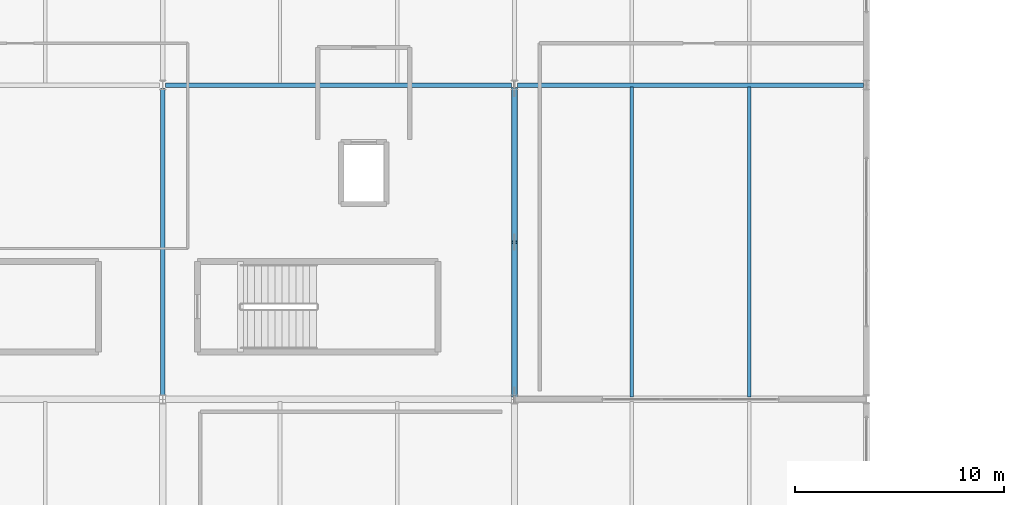
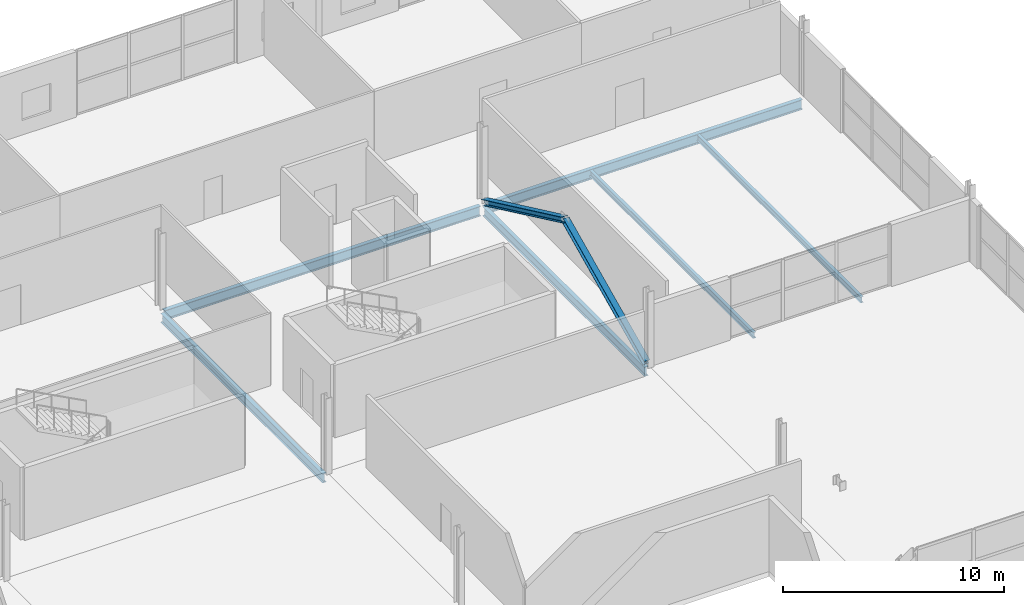
# One storey, part 20 of 39: 6 beams, 2 members.
"""IFC4 building model written with IfcOpenShell, lengths in metres."""

from ifc_helpers import new_model, si_unit, direction, frame, origin, origin_2d, place, context, subcontext, project, spatial, i_section, extrude, material, material_profile, profile_set, type_object, element, save


model = new_model("IFC4")

# Units and contexts
model_context = context("Model", 3, precision=1e-05, world=origin(), true_north=direction((0.0, 1.0)))
body_context = subcontext(model_context, "Body", "Model", "MODEL_VIEW")
ifc_project = project(units=[si_unit("LENGTHUNIT", "METRE"), si_unit("AREAUNIT", "SQUARE_METRE"), si_unit("VOLUMEUNIT", "CUBIC_METRE"), si_unit("PLANEANGLEUNIT", "RADIAN"), si_unit("MASSUNIT", "GRAM", prefix="KILO")], contexts=[model_context])

# Site, building, storey
site_placement = place(None, origin())
site = spatial("IfcSite", under=ifc_project, at=site_placement, CompositionType="ELEMENT")
building_placement = place(site_placement, origin())
building = spatial("IfcBuilding", under=site, at=building_placement, Name="Kimbaza Rail Terminus", CompositionType="ELEMENT")
storey_placement = place(building_placement, frame((0.0, 0.0, 16.800048828125)))
storey = spatial("IfcBuildingStorey", under=building, at=storey_placement, Name="L03", CompositionType="ELEMENT", Elevation=16.800048828125)

# Beams
ifc_material_1 = material(Name="Steel S355", Category="steel")
ifc_material_profile_1 = material_profile(ifc_material_1, i_section(OverallWidth=0.159912109375, OverallDepth=0.330078125, WebThickness=0.007568359375, FlangeThickness=0.011474609375, FilletRadius=0.01806640625, at=origin_2d()), Name="IPE 330")
ifc_profile_set_1 = profile_set([ifc_material_profile_1], Name="Steel S355")
beam_type_1 = type_object("IfcBeamType", Name="STR-BM-IPE330", PredefinedType="JOIST", material=ifc_profile_set_1)
for number, where, z_axis, x_axis, name in (
    (1, (144.800048828125, 103.10009765625, -0.364990234375), (0.0, 1.0, 0.0), (-1.0, 0.0, 0.0), "Operations Secondary Joist L03"),
    (2, (150.39990234375, 103.10009765625, -0.364990234375), (0.0, 1.0, 0.0), (-1.0, 0.0, 0.0), "Operations Secondary Joist L03"),
):
    element("IfcBeam", number, at=place(storey_placement, frame(where, z_axis=z_axis, x_axis=x_axis)), inside=storey, type_object=beam_type_1, Name=name, PredefinedType="JOIST", context=body_context, shape_type="SweptSolid", body=[
        extrude(i_section(OverallWidth=0.159912109375, OverallDepth=0.330078125, WebThickness=0.007568359375, FlangeThickness=0.011474609375, FilletRadius=0.01806640625, at=origin_2d()), origin(), (0.0, 0.0, 1.0), 14.7998046875),
    ])
ifc_material_2 = material(Name="Steel S355", Category="steel")
ifc_material_profile_2 = material_profile(ifc_material_2, i_section(OverallWidth=0.199951171875, OverallDepth=0.5, WebThickness=0.01025390625, FlangeThickness=0.01611328125, FilletRadius=0.02099609375, at=origin_2d()), Name="IPE 500")
ifc_profile_set_2 = profile_set([ifc_material_profile_2], Name="Steel S355")
beam_type_2 = type_object("IfcBeamType", Name="STR-BM-IPE500", PredefinedType="BEAM", material=ifc_profile_set_2)
for number, where, z_axis, x_axis, name in (
    (3, (122.39990234375, 103.175048828125, -0.449951171875), (0.0, 1.0, 0.0), (-1.0, 0.0, 0.0), "Operations Cross Girder L03 X4-Y0"),
    (4, (139.199951171875, 103.175048828125, -0.449951171875), (0.0, 1.0, 0.0), (-1.0, 0.0, 0.0), "Operations Cross Girder L03 X5-Y0"),
):
    element("IfcBeam", number, at=place(storey_placement, frame(where, z_axis=z_axis, x_axis=x_axis)), inside=storey, type_object=beam_type_2, Name=name, PredefinedType="BEAM", context=body_context, shape_type="SweptSolid", body=[
        extrude(i_section(OverallWidth=0.199951171875, OverallDepth=0.5, WebThickness=0.01025390625, FlangeThickness=0.01611328125, FilletRadius=0.02099609375, at=origin_2d()), origin(), (0.0, 0.0, 1.0), 14.64990234375),
    ])
ifc_material_3 = material(Name="Steel S355", Category="steel")
ifc_material_profile_3 = material_profile(ifc_material_3, i_section(OverallWidth=0.2099609375, OverallDepth=0.550048828125, WebThickness=0.010986328125, FlangeThickness=0.01708984375, FilletRadius=0.02392578125, at=origin_2d()), Name="IPE 550")
ifc_profile_set_3 = profile_set([ifc_material_profile_3], Name="Steel S355")
beam_type_3 = type_object("IfcBeamType", Name="STR-BM-IPE550", PredefinedType="BEAM", material=ifc_profile_set_3)
for number, where, z_axis, x_axis, name in (
    (5, (122.5458984375, 118.0, -0.47509765625), (1.0, 0.0, 0.0), (0.0, 1.0, 0.0), "Operations Girder L03 X4-Y1"),
    (6, (139.345947265625, 118.0, -0.47509765625), (1.0, 0.0, 0.0), (0.0, 1.0, 0.0), "Operations Girder L03 X5-Y1"),
):
    element("IfcBeam", number, at=place(storey_placement, frame(where, z_axis=z_axis, x_axis=x_axis)), inside=storey, type_object=beam_type_3, Name=name, PredefinedType="BEAM", context=body_context, shape_type="SweptSolid", body=[
        extrude(i_section(OverallWidth=0.2099609375, OverallDepth=0.550048828125, WebThickness=0.010986328125, FlangeThickness=0.01708984375, FilletRadius=0.02392578125, at=origin_2d()), origin(), (0.0, 0.0, 1.0), 16.508056640625),
    ])

# Members
ifc_material_4 = material(Name="Steel S355", Category="steel")
ifc_material_profile_4 = material_profile(ifc_material_4, i_section(OverallWidth=0.300048828125, OverallDepth=0.300048828125, WebThickness=0.010986328125, FlangeThickness=0.01904296875, FilletRadius=0.027099609375, at=origin_2d()), Name="HEB 300")
ifc_profile_set_4 = profile_set([ifc_material_profile_4], Name="Steel S355")
member_type = type_object("IfcMemberType", Name="STR-MB-HEB300", PredefinedType="BRACE", material=ifc_profile_set_4)
for number, where, z_axis, x_axis, name in (
    (7, (139.199951171875, 103.179931640625, 0.050048828125), (0.0, 0.904570355693, 0.426324373688), (-1.0, 0.0, 0.0), "Core Chevron Brace 8A"),
    (8, (139.199951171875, 117.820068359375, 0.050048828125), (0.0, -0.904570355693, 0.426324373688), (1.0, 0.0, 0.0), "Core Chevron Brace 8B"),
):
    element("IfcMember", number, at=place(storey_placement, frame(where, z_axis=z_axis, x_axis=x_axis)), inside=storey, type_object=member_type, Name=name, PredefinedType="BRACE", context=body_context, shape_type="SweptSolid", body=[
        extrude(i_section(OverallWidth=0.300048828125, OverallDepth=0.300048828125, WebThickness=0.010986328125, FlangeThickness=0.01904296875, FilletRadius=0.027099609375, at=origin_2d()), origin(), (0.0, 0.0, 1.0), 8.09228515625),
    ])

save(model, "model.ifc")
